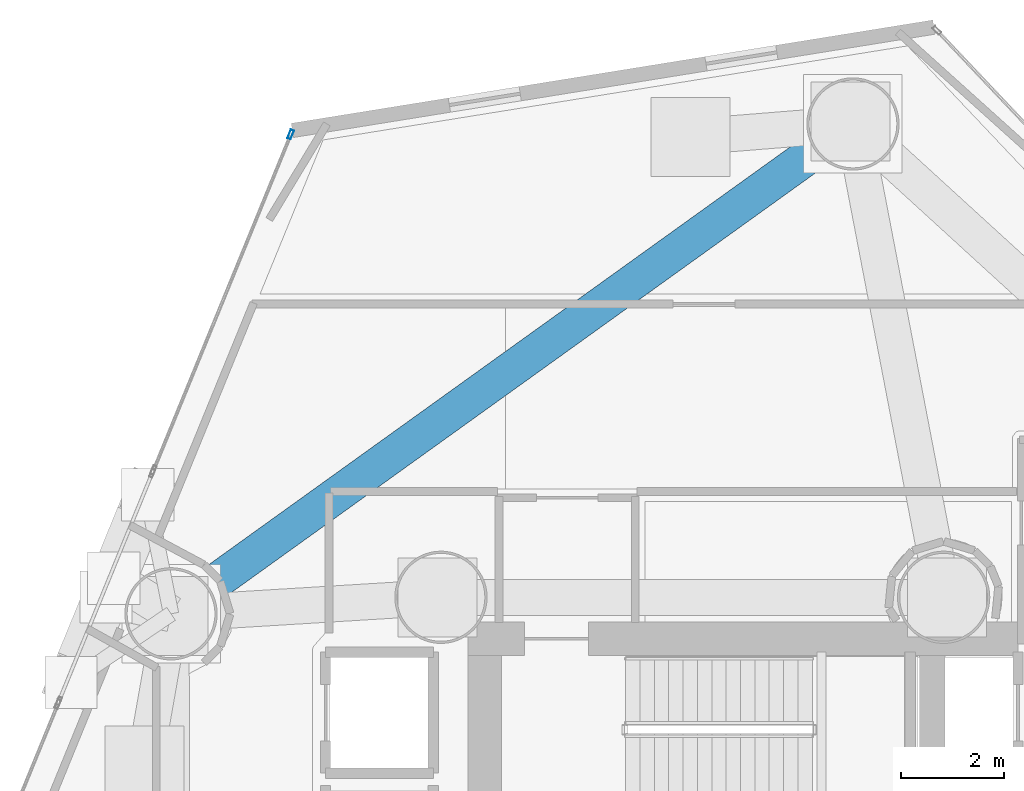
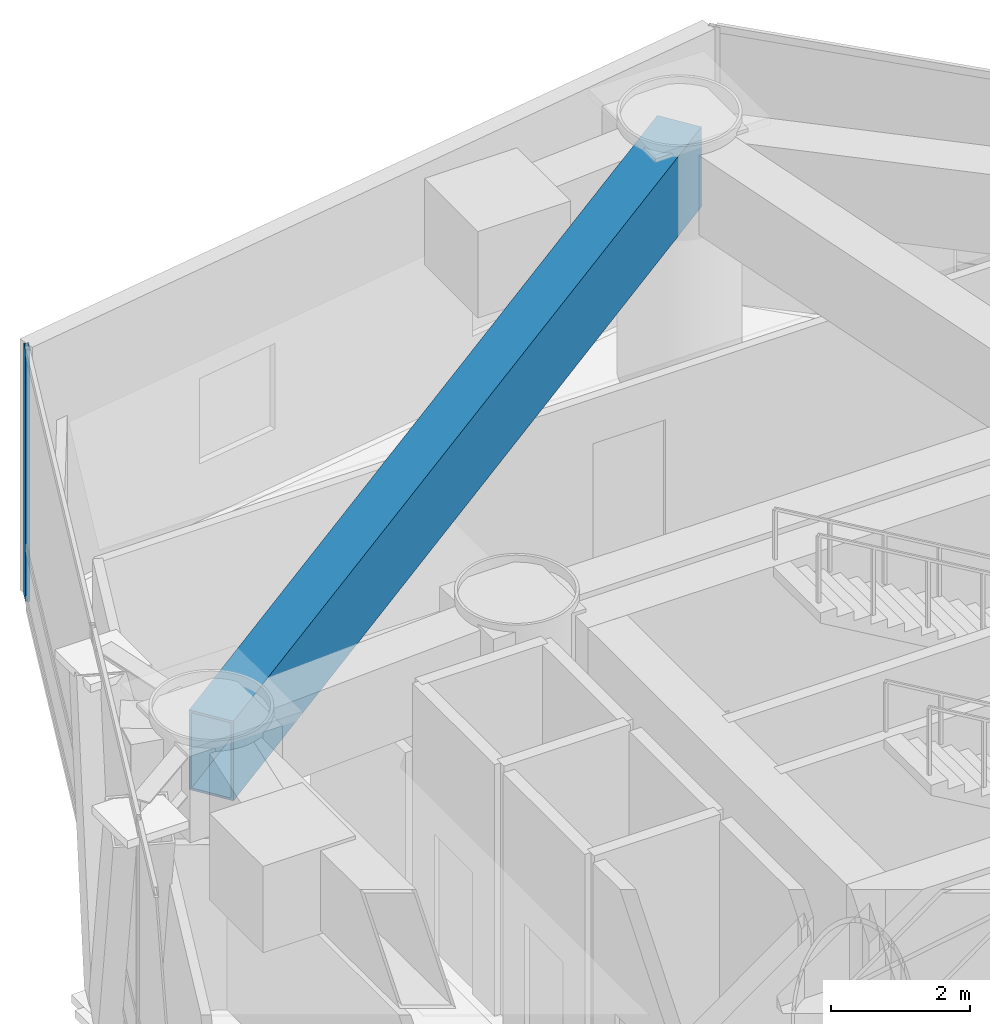
# One storey, part 8 of 22: 1 beam, 1 member, 1 element without a shape of its own.
"""IFC4 building model written with IfcOpenShell, lengths in metres."""

from ifc_helpers import new_model, si_unit, direction, frame, origin, origin_2d, place, context, subcontext, project, spatial, hollow_rectangle, extrude, material, layer, layer_set, material_profile, profile_set, type_object, element, aggregate, save


model = new_model("IFC4")

# Units and contexts
model_context = context("Model", 3, precision=1e-05, world=origin(), true_north=direction((0.0, 1.0)))
body_context = subcontext(model_context, "Body", "Model", "MODEL_VIEW")
ifc_project = project(units=[si_unit("LENGTHUNIT", "METRE"), si_unit("AREAUNIT", "SQUARE_METRE"), si_unit("VOLUMEUNIT", "CUBIC_METRE"), si_unit("PLANEANGLEUNIT", "RADIAN"), si_unit("MASSUNIT", "GRAM", prefix="KILO")], contexts=[model_context])

# Site, building, storey
site_placement = place(None, origin())
site = spatial("IfcSite", under=ifc_project, at=site_placement, CompositionType="ELEMENT")
building_placement = place(site_placement, origin())
building = spatial("IfcBuilding", under=site, at=building_placement, Name="Qianvela Tower", CompositionType="ELEMENT")
storey_placement = place(building_placement, frame((0.0, 0.0, 47.89990234375)))
storey = spatial("IfcBuildingStorey", under=building, at=storey_placement, Name="L11", CompositionType="ELEMENT", Elevation=47.89990234375)

# Beam
ifc_material_1 = material(Name="Steel Q420GJC", Category="steel")
ifc_material_profile_1 = material_profile(ifc_material_1, hollow_rectangle(XDim=0.699951171875, YDim=1.39990234375, WallThickness=0.0400390625, at=origin_2d()), Name="TG-BOX-1400x700x40")
ifc_profile_set_1 = profile_set([ifc_material_profile_1], Name="Steel Q420GJC")
beam_type = type_object("IfcBeamType", Name="BM-TG-RAD-1400", PredefinedType="BEAM", material=ifc_profile_set_1)
beam_placement = place(storey_placement, frame((36.632080078125, 42.778076171875, 3.718017578125), z_axis=(-0.812164446449, -0.583428583397, 0.0), x_axis=(0.583428583397, -0.812164446449, 0.0)))
element("IfcBeam", 1, at=beam_placement, inside=storey, type_object=beam_type, Name="L11 Perimeter Belt-Truss Top Ring Girder 3", PredefinedType="BEAM", context=body_context, shape_type="SweptSolid", body=[
    extrude(hollow_rectangle(XDim=0.699951171875, YDim=1.39990234375, WallThickness=0.0400390625, at=origin_2d()), origin(), (0.0, 0.0, 1.0), 16.368896484375),
])

# Curtain wall, member
ifc_material_2 = material(Name="Anodised Architectural Aluminium and Low-E Glass", Category="aluminium")
ifc_layer = layer(ifc_material_2, 0.179931640625)
ifc_layer_set = layer_set([ifc_layer], Name="Anodised Architectural Aluminium and Low-E Glass")
curtain_wall_type = type_object("IfcCurtainWallType", Name="CW-COLIV-Z12", PredefinedType="USERDEFINED", material=ifc_layer_set)
curtain_wall_placement = place(storey_placement, origin())
curtain_wall = element("IfcCurtainWall", 2, at=curtain_wall_placement, inside=storey, type_object=curtain_wall_type, Name="L11 CW-COLIV-Z12 Curtain Wall 04A", ObjectType="CURTAIN_WALL_SYSTEM", PredefinedType="USERDEFINED")
ifc_material_3 = material(Name="Anodised Architectural Aluminium 6063-T6", Category="aluminium")
ifc_material_profile_2 = material_profile(ifc_material_3, hollow_rectangle(XDim=0.070068359375, YDim=0.179931640625, WallThickness=0.0048828125, at=origin_2d()), Name="ALU-MULL-70x180")
ifc_profile_set_2 = profile_set([ifc_material_profile_2], Name="Anodised Architectural Aluminium 6063-T6")
member_type = type_object("IfcMemberType", Name="CW-COLIV-Z12-MULL", PredefinedType="MULLION", material=ifc_profile_set_2)
member_placement = place(storey_placement, frame((25.670654296875, 42.57421875, 0.0), z_axis=(0.0, 0.0, 1.0), x_axis=(0.925600936457, -0.378500867146, 0.0)))
member = element("IfcMember", 3, at=member_placement, type_object=member_type, Name="CW-3 mullion 1", PredefinedType="MULLION", context=body_context, shape_type="SweptSolid", body=[
    extrude(hollow_rectangle(XDim=0.070068359375, YDim=0.179931640625, WallThickness=0.0048828125, at=origin_2d()), origin(), (0.0, 0.0, 1.0), 4.420166015625),
])
aggregate(curtain_wall, [member])

save(model, "model.ifc")
